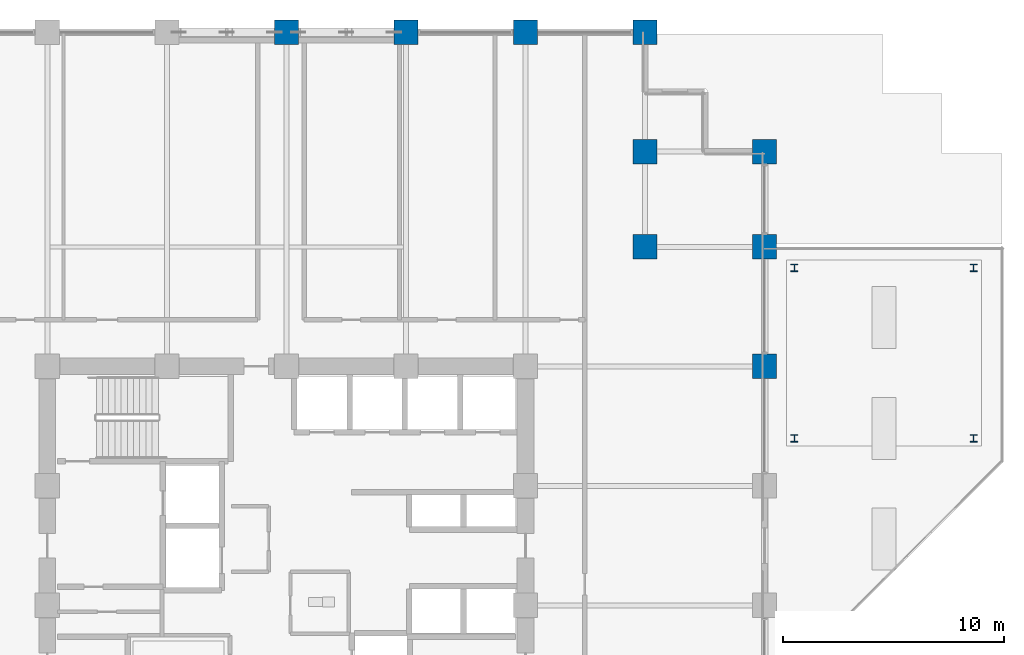
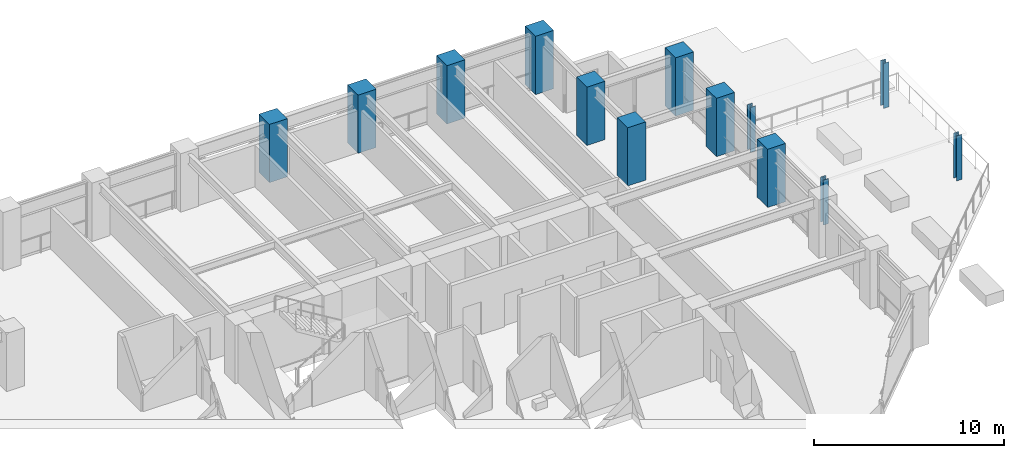
# One storey, part 2 of 30: 13 columns.
"""IFC4 building model written with IfcOpenShell, lengths in metres."""

from ifc_helpers import new_model, si_unit, direction, frame, origin, origin_2d, place, context, subcontext, project, spatial, rectangle, i_section, extrude, material, material_profile, profile_set, type_object, element, save


model = new_model("IFC4")

# Units and contexts
model_context = context("Model", 3, precision=1e-05, world=origin(), true_north=direction((0.0, 1.0)))
body_context = subcontext(model_context, "Body", "Model", "MODEL_VIEW")
ifc_project = project(units=[si_unit("LENGTHUNIT", "METRE"), si_unit("AREAUNIT", "SQUARE_METRE"), si_unit("VOLUMEUNIT", "CUBIC_METRE"), si_unit("PLANEANGLEUNIT", "RADIAN"), si_unit("MASSUNIT", "GRAM", prefix="KILO")], contexts=[model_context])

# Site, building, storey
site_placement = place(None, origin())
site = spatial("IfcSite", under=ifc_project, at=site_placement, CompositionType="ELEMENT")
building_placement = place(site_placement, origin())
building = spatial("IfcBuilding", under=site, at=building_placement, Name="Surkhivell Harbour Commons", CompositionType="ELEMENT")
storey_placement = place(building_placement, frame((0.0, 0.0, 83.25)))
storey = spatial("IfcBuildingStorey", under=building, at=storey_placement, Name="L21", CompositionType="ELEMENT", Elevation=83.25)

# Columns
ifc_material_1 = material(Name="Steel S355", Category="steel")
ifc_material_profile_1 = material_profile(ifc_material_1, i_section(OverallWidth=0.31396484375, OverallDepth=0.340087890625, WebThickness=0.01904296875, FlangeThickness=0.031494140625, at=origin_2d()), Name="UC305x305x198")
ifc_profile_set_1 = profile_set([ifc_material_profile_1], Name="Steel S355")
column_type_1 = type_object("IfcColumnType", Name="COL-CRN-UC305", PredefinedType="COLUMN", material=ifc_profile_set_1)
for number, where, z_axis, x_axis, name in (
    (1, (22.949951171875, 7.550048828125, 0.0), (0.0, 0.0, 1.0), (1.0, 0.0, 0.0), "L21 Canopy Support Post CAN-SG1-1"),
    (2, (31.050048828125, 7.550048828125, 0.0), (0.0, 0.0, 1.0), (1.0, 0.0, 0.0), "L21 Canopy Support Post CAN-SG1-2"),
    (3, (31.050048828125, 15.25, 0.0), (0.0, 0.0, 1.0), (1.0, 0.0, 0.0), "L21 Canopy Support Post CAN-SG1-3"),
    (4, (22.949951171875, 15.25, 0.0), (0.0, 0.0, 1.0), (1.0, 0.0, 0.0), "L21 Canopy Support Post CAN-SG1-4"),
):
    element("IfcColumn", number, at=place(storey_placement, frame(where, z_axis=z_axis, x_axis=x_axis)), inside=storey, type_object=column_type_1, Name=name, PredefinedType="COLUMN", context=body_context, shape_type="SweptSolid", body=[
        extrude(i_section(OverallWidth=0.31396484375, OverallDepth=0.340087890625, WebThickness=0.01904296875, FlangeThickness=0.031494140625, at=origin_2d()), origin(), (0.0, 0.0, 1.0), 2.889892578125),
    ])
ifc_material_2 = material(Name="Concrete C60/75", Category="concrete")
ifc_material_profile_2 = material_profile(ifc_material_2, rectangle(XDim=1.10009765625, YDim=1.10009765625, at=origin_2d()), Name="RC-COL-1100x1100")
ifc_profile_set_2 = profile_set([ifc_material_profile_2], Name="Concrete C60/75")
column_type_2 = type_object("IfcColumnType", Name="COL-TUBE-Z2A", PredefinedType="COLUMN", material=ifc_profile_set_2)
for number, where, z_axis, x_axis, name in (
    (5, (0.0, 25.89990234375, 0.0), (0.0, 0.0, 1.0), (1.0, 0.0, 0.0), "L21 Column CT-2A (-0.0,25.9)"),
    (6, (5.39990234375, 25.89990234375, 0.0), (0.0, 0.0, 1.0), (1.0, 0.0, 0.0), "L21 Column CT-2A (5.4,25.9)"),
    (7, (10.800048828125, 25.89990234375, 0.0), (0.0, 0.0, 1.0), (1.0, 0.0, 0.0), "L21 Column CT-2A (10.8,25.9)"),
    (8, (16.199951171875, 16.199951171875, 0.0), (0.0, 0.0, 1.0), (1.0, 0.0, 0.0), "L21 Column CT-2A (16.2,16.2)"),
    (9, (16.199951171875, 20.5, 0.0), (0.0, 0.0, 1.0), (1.0, 0.0, 0.0), "L21 Column CT-2A (16.2,20.5)"),
    (10, (16.199951171875, 25.89990234375, 0.0), (0.0, 0.0, 1.0), (1.0, 0.0, 0.0), "L21 Column CT-2A (16.2,25.9)"),
    (11, (21.60009765625, 10.800048828125, 0.0), (0.0, 0.0, 1.0), (1.0, 0.0, 0.0), "L21 Column CT-2A (21.6,10.8)"),
    (12, (21.60009765625, 16.199951171875, 0.0), (0.0, 0.0, 1.0), (1.0, 0.0, 0.0), "L21 Column CT-2A (21.6,16.2)"),
    (13, (21.60009765625, 20.5, 0.0), (0.0, 0.0, 1.0), (1.0, 0.0, 0.0), "L21 Column CT-2A (21.6,20.5)"),
):
    element("IfcColumn", number, at=place(storey_placement, frame(where, z_axis=z_axis, x_axis=x_axis)), inside=storey, type_object=column_type_2, Name=name, PredefinedType="COLUMN", context=body_context, shape_type="SweptSolid", body=[
        extrude(rectangle(XDim=1.10009765625, YDim=1.10009765625, at=origin_2d()), origin(), (0.0, 0.0, 1.0), 3.75),
    ])

save(model, "model.ifc")
